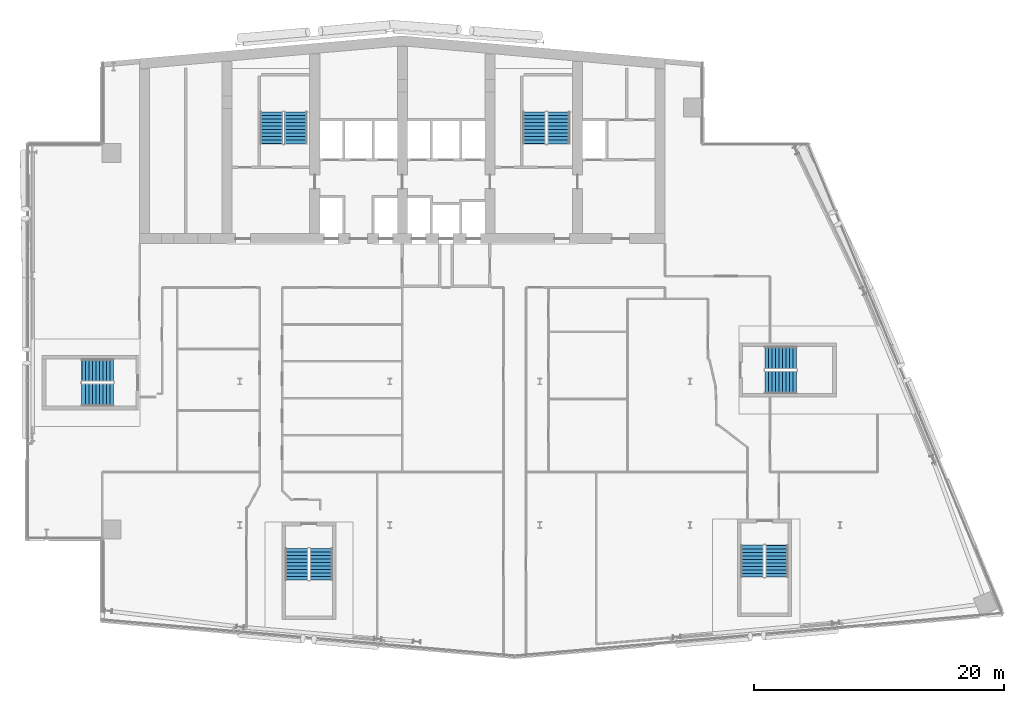
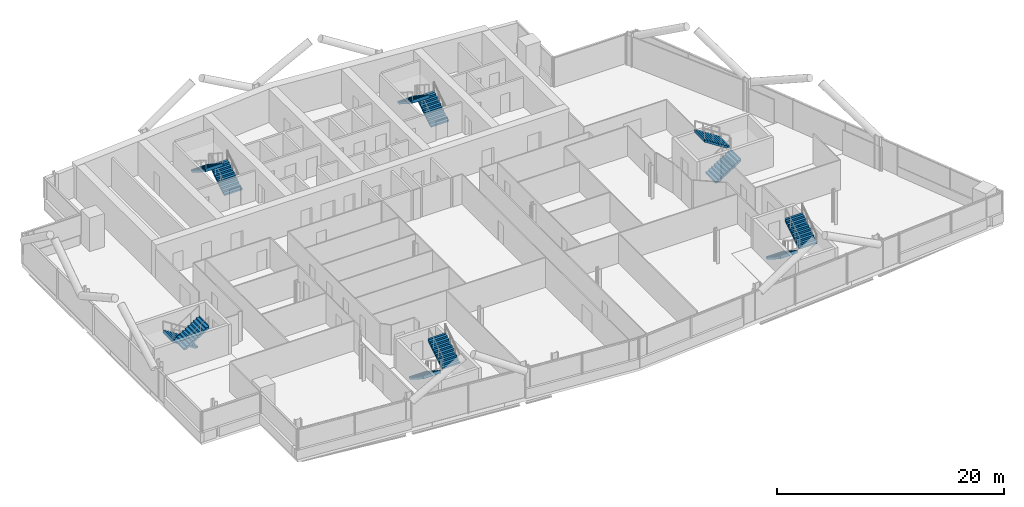
# One storey, part 20 of 26: 12 stair flights, 6 elements without a shape of their own.
"""IFC4 building model written with IfcOpenShell, lengths in metres."""

from ifc_helpers import new_model, si_unit, direction, frame, origin, place, context, subcontext, project, spatial, polyline, outline, extrude, material, type_object, element, aggregate, save


model = new_model("IFC4")

# Units and contexts
model_context = context("Model", 3, precision=1e-05, world=origin(), true_north=direction((0.0, 1.0)))
body_context = subcontext(model_context, "Body", "Model", "MODEL_VIEW")
ifc_project = project(units=[si_unit("LENGTHUNIT", "METRE"), si_unit("AREAUNIT", "SQUARE_METRE"), si_unit("VOLUMEUNIT", "CUBIC_METRE"), si_unit("PLANEANGLEUNIT", "RADIAN"), si_unit("MASSUNIT", "GRAM", prefix="KILO")], contexts=[model_context])

# Site, building, storey
site_placement = place(None, origin())
site = spatial("IfcSite", under=ifc_project, at=site_placement, CompositionType="ELEMENT")
building_placement = place(site_placement, origin())
building = spatial("IfcBuilding", under=site, at=building_placement, Name="Wharfspan Tower", CompositionType="ELEMENT")
storey_placement = place(building_placement, frame((0.0, 0.0, 169.899902)))
storey = spatial("IfcBuildingStorey", under=building, at=storey_placement, Name="L41", CompositionType="ELEMENT", Elevation=169.899902)

# Stair, stair flights
ifc_material = material(Name="Concrete C40/50", Category="concrete")
stair_type = type_object("IfcStairType", Name="Half-turn stair 20 risers 180 mm", PredefinedType="HALF_TURN_STAIR", material=ifc_material)
stair_1_placement = place(storey_placement, origin())
stair_1 = element("IfcStair", 1, at=stair_1_placement, inside=storey, type_object=stair_type, Name="L41 stair ST1", PredefinedType="HALF_TURN_STAIR")
stair_flight_type = type_object("IfcStairFlightType", Name="Stair flight 20 risers 180 mm", PredefinedType="STRAIGHT", material=ifc_material)
stair_flight_1_placement = place(storey_placement, frame((28.5, 42.0, 0.0), z_axis=(0.0, 0.0, 1.0), x_axis=(0.0, 1.0, 0.0)))
stair_flight_1 = element("IfcStairFlight", 2, at=stair_flight_1_placement, type_object=stair_flight_type, Name="ST1 flight 1", NumberOfRisers=10, NumberOfTreads=9, PredefinedType="STRAIGHT", RiserHeight=0.18, TreadLength=0.28, context=body_context, shape_type="SweptSolid", body=[
    extrude(outline(polyline([(-0.011963, 0.0), (-0.011963, 0.179932), (0.0, 0.179932), (0.280029, 0.179932), (0.280029, 0.360107), (0.560059, 0.360107), (0.560059, 0.540039), (0.840088, 0.540039), (0.840088, 0.719971), (1.120117, 0.719971), (1.120117, 0.899902), (1.399902, 0.899902), (1.399902, 1.080078), (1.679932, 1.080078), (1.679932, 1.26001), (1.959961, 1.26001), (1.959961, 1.439941), (2.23999, 1.439941), (2.23999, 1.620117), (2.52002, 1.620117), (2.531982, 1.800049), (2.531982, 1.441895), (0.2771, 0.0), (-0.011963, 0.0)])), frame((0.0, 0.899902, 0.0), z_axis=(0.0, -1.0, 0.0), x_axis=(1.0, 0.0, 0.0)), (0.0, 0.0, 1.0), 0.899414),
    extrude(outline(polyline([(-0.011963, 0.0), (-0.011963, 0.179932), (0.0, 0.179932), (0.280029, 0.179932), (0.280029, 0.360107), (0.560059, 0.360107), (0.560059, 0.540039), (0.840088, 0.540039), (0.840088, 0.719971), (1.120117, 0.719971), (1.120117, 0.899902), (1.399902, 0.899902), (1.399902, 1.080078), (1.679932, 1.080078), (1.679932, 1.26001), (1.959961, 1.26001), (1.959961, 1.439941), (2.23999, 1.439941), (2.23999, 1.620117), (2.52002, 1.620117), (2.531982, 1.800049), (2.531982, 1.441895), (0.2771, 0.0), (-0.011963, 0.0)])), frame((0.0, -0.000488, 0.0), z_axis=(0.0, -1.0, 0.0), x_axis=(1.0, 0.0, 0.0)), (0.0, 0.0, 1.0), 0.899414),
])
stair_flight_2_placement = place(storey_placement, frame((26.550049, 44.52002, 1.800049), z_axis=(0.0, 0.0, 1.0), x_axis=(0.0, -1.0, 0.0)))
stair_flight_2 = element("IfcStairFlight", 3, at=stair_flight_2_placement, type_object=stair_flight_type, Name="ST1 flight 2", NumberOfRisers=10, NumberOfTreads=9, PredefinedType="STRAIGHT", RiserHeight=0.18, TreadLength=0.28, context=body_context, shape_type="SweptSolid", body=[
    extrude(outline(polyline([(-0.011963, 0.0), (-0.011963, 0.179932), (0.0, 0.179932), (0.280029, 0.179932), (0.280029, 0.360107), (0.560059, 0.360107), (0.560059, 0.540039), (0.840088, 0.540039), (0.840088, 0.719971), (1.120117, 0.719971), (1.120117, 0.899902), (1.399902, 0.899902), (1.399902, 1.080078), (1.679932, 1.080078), (1.679932, 1.26001), (1.959961, 1.26001), (1.959961, 1.439941), (2.23999, 1.439941), (2.23999, 1.620117), (2.52002, 1.620117), (2.531982, 1.800049), (2.531982, 1.441895), (0.2771, 0.0), (-0.011963, 0.0)])), frame((0.0, 0.899902, 0.0), z_axis=(0.0, -1.0, 0.0), x_axis=(1.0, 0.0, 0.0)), (0.0, 0.0, 1.0), 0.899414),
    extrude(outline(polyline([(-0.011963, 0.0), (-0.011963, 0.179932), (0.0, 0.179932), (0.280029, 0.179932), (0.280029, 0.360107), (0.560059, 0.360107), (0.560059, 0.540039), (0.840088, 0.540039), (0.840088, 0.719971), (1.120117, 0.719971), (1.120117, 0.899902), (1.399902, 0.899902), (1.399902, 1.080078), (1.679932, 1.080078), (1.679932, 1.26001), (1.959961, 1.26001), (1.959961, 1.439941), (2.23999, 1.439941), (2.23999, 1.620117), (2.52002, 1.620117), (2.531982, 1.800049), (2.531982, 1.441895), (0.2771, 0.0), (-0.011963, 0.0)])), frame((0.0, -0.000488, 0.0), z_axis=(0.0, -1.0, 0.0), x_axis=(1.0, 0.0, 0.0)), (0.0, 0.0, 1.0), 0.899414),
])
aggregate(stair_1, [stair_flight_1, stair_flight_2])

stair_2_placement = place(storey_placement, origin())
stair_2 = element("IfcStair", 4, at=stair_2_placement, inside=storey, type_object=stair_type, Name="L41 stair ST2", PredefinedType="HALF_TURN_STAIR")
stair_flight_3_placement = place(storey_placement, frame((49.5, 42.0, 0.0), z_axis=(0.0, 0.0, 1.0), x_axis=(0.0, 1.0, 0.0)))
stair_flight_3 = element("IfcStairFlight", 5, at=stair_flight_3_placement, type_object=stair_flight_type, Name="ST2 flight 1", NumberOfRisers=10, NumberOfTreads=9, PredefinedType="STRAIGHT", RiserHeight=0.18, TreadLength=0.28, context=body_context, shape_type="SweptSolid", body=[
    extrude(outline(polyline([(-0.011963, 0.0), (-0.011963, 0.179932), (0.0, 0.179932), (0.280029, 0.179932), (0.280029, 0.360107), (0.560059, 0.360107), (0.560059, 0.540039), (0.840088, 0.540039), (0.840088, 0.719971), (1.120117, 0.719971), (1.120117, 0.899902), (1.399902, 0.899902), (1.399902, 1.080078), (1.679932, 1.080078), (1.679932, 1.26001), (1.959961, 1.26001), (1.959961, 1.439941), (2.23999, 1.439941), (2.23999, 1.620117), (2.52002, 1.620117), (2.531982, 1.800049), (2.531982, 1.441895), (0.2771, 0.0), (-0.011963, 0.0)])), frame((0.0, 0.899902, 0.0), z_axis=(0.0, -1.0, 0.0), x_axis=(1.0, 0.0, 0.0)), (0.0, 0.0, 1.0), 0.899414),
    extrude(outline(polyline([(-0.011963, 0.0), (-0.011963, 0.179932), (0.0, 0.179932), (0.280029, 0.179932), (0.280029, 0.360107), (0.560059, 0.360107), (0.560059, 0.540039), (0.840088, 0.540039), (0.840088, 0.719971), (1.120117, 0.719971), (1.120117, 0.899902), (1.399902, 0.899902), (1.399902, 1.080078), (1.679932, 1.080078), (1.679932, 1.26001), (1.959961, 1.26001), (1.959961, 1.439941), (2.23999, 1.439941), (2.23999, 1.620117), (2.52002, 1.620117), (2.531982, 1.800049), (2.531982, 1.441895), (0.2771, 0.0), (-0.011963, 0.0)])), frame((0.0, -0.000488, 0.0), z_axis=(0.0, -1.0, 0.0), x_axis=(1.0, 0.0, 0.0)), (0.0, 0.0, 1.0), 0.899414),
])
stair_flight_4_placement = place(storey_placement, frame((47.550049, 44.52002, 1.800049), z_axis=(0.0, 0.0, 1.0), x_axis=(0.0, -1.0, 0.0)))
stair_flight_4 = element("IfcStairFlight", 6, at=stair_flight_4_placement, type_object=stair_flight_type, Name="ST2 flight 2", NumberOfRisers=10, NumberOfTreads=9, PredefinedType="STRAIGHT", RiserHeight=0.18, TreadLength=0.28, context=body_context, shape_type="SweptSolid", body=[
    extrude(outline(polyline([(-0.011963, 0.0), (-0.011963, 0.179932), (0.0, 0.179932), (0.280029, 0.179932), (0.280029, 0.360107), (0.560059, 0.360107), (0.560059, 0.540039), (0.840088, 0.540039), (0.840088, 0.719971), (1.120117, 0.719971), (1.120117, 0.899902), (1.399902, 0.899902), (1.399902, 1.080078), (1.679932, 1.080078), (1.679932, 1.26001), (1.959961, 1.26001), (1.959961, 1.439941), (2.23999, 1.439941), (2.23999, 1.620117), (2.52002, 1.620117), (2.531982, 1.800049), (2.531982, 1.441895), (0.2771, 0.0), (-0.011963, 0.0)])), frame((0.0, 0.899902, 0.0), z_axis=(0.0, -1.0, 0.0), x_axis=(1.0, 0.0, 0.0)), (0.0, 0.0, 1.0), 0.899414),
    extrude(outline(polyline([(-0.011963, 0.0), (-0.011963, 0.179932), (0.0, 0.179932), (0.280029, 0.179932), (0.280029, 0.360107), (0.560059, 0.360107), (0.560059, 0.540039), (0.840088, 0.540039), (0.840088, 0.719971), (1.120117, 0.719971), (1.120117, 0.899902), (1.399902, 0.899902), (1.399902, 1.080078), (1.679932, 1.080078), (1.679932, 1.26001), (1.959961, 1.26001), (1.959961, 1.439941), (2.23999, 1.439941), (2.23999, 1.620117), (2.52002, 1.620117), (2.531982, 1.800049), (2.531982, 1.441895), (0.2771, 0.0), (-0.011963, 0.0)])), frame((0.0, -0.000488, 0.0), z_axis=(0.0, -1.0, 0.0), x_axis=(1.0, 0.0, 0.0)), (0.0, 0.0, 1.0), 0.899414),
])
aggregate(stair_2, [stair_flight_3, stair_flight_4])

stair_3_placement = place(storey_placement, origin())
stair_3 = element("IfcStair", 7, at=stair_3_placement, inside=storey, type_object=stair_type, Name="L41 stair ST3", PredefinedType="HALF_TURN_STAIR")
stair_flight_5_placement = place(storey_placement, frame((13.899902, 23.875, 0.0), z_axis=(0.0, 0.0, 1.0), x_axis=(-1.0, 0.0, 0.0)))
stair_flight_5 = element("IfcStairFlight", 8, at=stair_flight_5_placement, type_object=stair_flight_type, Name="ST3 flight 1", NumberOfRisers=10, NumberOfTreads=9, PredefinedType="STRAIGHT", RiserHeight=0.18, TreadLength=0.28, context=body_context, shape_type="SweptSolid", body=[
    extrude(outline(polyline([(-0.011963, 0.0), (-0.011963, 0.179932), (0.0, 0.179932), (0.280029, 0.179932), (0.280029, 0.360107), (0.560059, 0.360107), (0.560059, 0.540039), (0.840088, 0.540039), (0.840088, 0.719971), (1.120117, 0.719971), (1.120117, 0.899902), (1.399902, 0.899902), (1.399902, 1.080078), (1.679932, 1.080078), (1.679932, 1.26001), (1.959961, 1.26001), (1.959961, 1.439941), (2.23999, 1.439941), (2.23999, 1.620117), (2.52002, 1.620117), (2.531982, 1.800049), (2.531982, 1.441895), (0.2771, 0.0), (-0.011963, 0.0)])), frame((0.0, 0.899902, 0.0), z_axis=(0.0, -1.0, 0.0), x_axis=(1.0, 0.0, 0.0)), (0.0, 0.0, 1.0), 0.899414),
    extrude(outline(polyline([(-0.011963, 0.0), (-0.011963, 0.179932), (0.0, 0.179932), (0.280029, 0.179932), (0.280029, 0.360107), (0.560059, 0.360107), (0.560059, 0.540039), (0.840088, 0.540039), (0.840088, 0.719971), (1.120117, 0.719971), (1.120117, 0.899902), (1.399902, 0.899902), (1.399902, 1.080078), (1.679932, 1.080078), (1.679932, 1.26001), (1.959961, 1.26001), (1.959961, 1.439941), (2.23999, 1.439941), (2.23999, 1.620117), (2.52002, 1.620117), (2.531982, 1.800049), (2.531982, 1.441895), (0.2771, 0.0), (-0.011963, 0.0)])), frame((0.0, -0.000488, 0.0), z_axis=(0.0, -1.0, 0.0), x_axis=(1.0, 0.0, 0.0)), (0.0, 0.0, 1.0), 0.899414),
])
stair_flight_6_placement = place(storey_placement, frame((11.379883, 21.925049, 1.800049), z_axis=(0.0, 0.0, 1.0), x_axis=(1.0, 0.0, 0.0)))
stair_flight_6 = element("IfcStairFlight", 9, at=stair_flight_6_placement, type_object=stair_flight_type, Name="ST3 flight 2", NumberOfRisers=10, NumberOfTreads=9, PredefinedType="STRAIGHT", RiserHeight=0.18, TreadLength=0.28, context=body_context, shape_type="SweptSolid", body=[
    extrude(outline(polyline([(-0.011963, 0.0), (-0.011963, 0.179932), (0.0, 0.179932), (0.280029, 0.179932), (0.280029, 0.360107), (0.560059, 0.360107), (0.560059, 0.540039), (0.840088, 0.540039), (0.840088, 0.719971), (1.120117, 0.719971), (1.120117, 0.899902), (1.399902, 0.899902), (1.399902, 1.080078), (1.679932, 1.080078), (1.679932, 1.26001), (1.959961, 1.26001), (1.959961, 1.439941), (2.23999, 1.439941), (2.23999, 1.620117), (2.52002, 1.620117), (2.531982, 1.800049), (2.531982, 1.441895), (0.2771, 0.0), (-0.011963, 0.0)])), frame((0.0, 0.899902, 0.0), z_axis=(0.0, -1.0, 0.0), x_axis=(1.0, 0.0, 0.0)), (0.0, 0.0, 1.0), 0.899414),
    extrude(outline(polyline([(-0.011963, 0.0), (-0.011963, 0.179932), (0.0, 0.179932), (0.280029, 0.179932), (0.280029, 0.360107), (0.560059, 0.360107), (0.560059, 0.540039), (0.840088, 0.540039), (0.840088, 0.719971), (1.120117, 0.719971), (1.120117, 0.899902), (1.399902, 0.899902), (1.399902, 1.080078), (1.679932, 1.080078), (1.679932, 1.26001), (1.959961, 1.26001), (1.959961, 1.439941), (2.23999, 1.439941), (2.23999, 1.620117), (2.52002, 1.620117), (2.531982, 1.800049), (2.531982, 1.441895), (0.2771, 0.0), (-0.011963, 0.0)])), frame((0.0, -0.000488, 0.0), z_axis=(0.0, -1.0, 0.0), x_axis=(1.0, 0.0, 0.0)), (0.0, 0.0, 1.0), 0.899414),
])
aggregate(stair_3, [stair_flight_5, stair_flight_6])

stair_4_placement = place(storey_placement, origin())
stair_4 = element("IfcStair", 10, at=stair_4_placement, inside=storey, type_object=stair_type, Name="L41 stair ST4", PredefinedType="HALF_TURN_STAIR")
stair_flight_7_placement = place(storey_placement, frame((28.564209, 9.634277, 0.0), z_axis=(0.0, 0.0, 1.0), x_axis=(0.0, -1.0, 0.0)))
stair_flight_7 = element("IfcStairFlight", 11, at=stair_flight_7_placement, type_object=stair_flight_type, Name="ST4 flight 1", NumberOfRisers=10, NumberOfTreads=9, PredefinedType="STRAIGHT", RiserHeight=0.18, TreadLength=0.28, context=body_context, shape_type="SweptSolid", body=[
    extrude(outline(polyline([(-0.011963, 0.0), (-0.011963, 0.179932), (0.0, 0.179932), (0.280029, 0.179932), (0.280029, 0.360107), (0.560059, 0.360107), (0.560059, 0.540039), (0.840088, 0.540039), (0.840088, 0.719971), (1.120117, 0.719971), (1.120117, 0.899902), (1.399902, 0.899902), (1.399902, 1.080078), (1.679932, 1.080078), (1.679932, 1.26001), (1.959961, 1.26001), (1.959961, 1.439941), (2.23999, 1.439941), (2.23999, 1.620117), (2.52002, 1.620117), (2.531982, 1.800049), (2.531982, 1.441895), (0.2771, 0.0), (-0.011963, 0.0)])), frame((0.0, 0.899902, 0.0), z_axis=(0.0, -1.0, 0.0), x_axis=(1.0, 0.0, 0.0)), (0.0, 0.0, 1.0), 0.899414),
    extrude(outline(polyline([(-0.011963, 0.0), (-0.011963, 0.179932), (0.0, 0.179932), (0.280029, 0.179932), (0.280029, 0.360107), (0.560059, 0.360107), (0.560059, 0.540039), (0.840088, 0.540039), (0.840088, 0.719971), (1.120117, 0.719971), (1.120117, 0.899902), (1.399902, 0.899902), (1.399902, 1.080078), (1.679932, 1.080078), (1.679932, 1.26001), (1.959961, 1.26001), (1.959961, 1.439941), (2.23999, 1.439941), (2.23999, 1.620117), (2.52002, 1.620117), (2.531982, 1.800049), (2.531982, 1.441895), (0.2771, 0.0), (-0.011963, 0.0)])), frame((0.0, -0.000488, 0.0), z_axis=(0.0, -1.0, 0.0), x_axis=(1.0, 0.0, 0.0)), (0.0, 0.0, 1.0), 0.899414),
])
stair_flight_8_placement = place(storey_placement, frame((30.51416, 7.114258, 1.800049), z_axis=(0.0, 0.0, 1.0), x_axis=(0.0, 1.0, 0.0)))
stair_flight_8 = element("IfcStairFlight", 12, at=stair_flight_8_placement, type_object=stair_flight_type, Name="ST4 flight 2", NumberOfRisers=10, NumberOfTreads=9, PredefinedType="STRAIGHT", RiserHeight=0.18, TreadLength=0.28, context=body_context, shape_type="SweptSolid", body=[
    extrude(outline(polyline([(-0.011963, 0.0), (-0.011963, 0.179932), (0.0, 0.179932), (0.280029, 0.179932), (0.280029, 0.360107), (0.560059, 0.360107), (0.560059, 0.540039), (0.840088, 0.540039), (0.840088, 0.719971), (1.120117, 0.719971), (1.120117, 0.899902), (1.399902, 0.899902), (1.399902, 1.080078), (1.679932, 1.080078), (1.679932, 1.26001), (1.959961, 1.26001), (1.959961, 1.439941), (2.23999, 1.439941), (2.23999, 1.620117), (2.52002, 1.620117), (2.531982, 1.800049), (2.531982, 1.441895), (0.2771, 0.0), (-0.011963, 0.0)])), frame((0.0, 0.899902, 0.0), z_axis=(0.0, -1.0, 0.0), x_axis=(1.0, 0.0, 0.0)), (0.0, 0.0, 1.0), 0.899414),
    extrude(outline(polyline([(-0.011963, 0.0), (-0.011963, 0.179932), (0.0, 0.179932), (0.280029, 0.179932), (0.280029, 0.360107), (0.560059, 0.360107), (0.560059, 0.540039), (0.840088, 0.540039), (0.840088, 0.719971), (1.120117, 0.719971), (1.120117, 0.899902), (1.399902, 0.899902), (1.399902, 1.080078), (1.679932, 1.080078), (1.679932, 1.26001), (1.959961, 1.26001), (1.959961, 1.439941), (2.23999, 1.439941), (2.23999, 1.620117), (2.52002, 1.620117), (2.531982, 1.800049), (2.531982, 1.441895), (0.2771, 0.0), (-0.011963, 0.0)])), frame((0.0, -0.000488, 0.0), z_axis=(0.0, -1.0, 0.0), x_axis=(1.0, 0.0, 0.0)), (0.0, 0.0, 1.0), 0.899414),
])
aggregate(stair_4, [stair_flight_7, stair_flight_8])

stair_5_placement = place(storey_placement, origin())
stair_5 = element("IfcStair", 13, at=stair_5_placement, inside=storey, type_object=stair_type, Name="L41 stair ST5", PredefinedType="HALF_TURN_STAIR")
stair_flight_9_placement = place(storey_placement, frame((64.986328, 9.883789, 0.0), z_axis=(0.0, 0.0, 1.0), x_axis=(0.0, -1.0, 0.0)))
stair_flight_9 = element("IfcStairFlight", 14, at=stair_flight_9_placement, type_object=stair_flight_type, Name="ST5 flight 1", NumberOfRisers=10, NumberOfTreads=9, PredefinedType="STRAIGHT", RiserHeight=0.18, TreadLength=0.28, context=body_context, shape_type="SweptSolid", body=[
    extrude(outline(polyline([(-0.011963, 0.0), (-0.011963, 0.179932), (0.0, 0.179932), (0.280029, 0.179932), (0.280029, 0.360107), (0.560059, 0.360107), (0.560059, 0.540039), (0.840088, 0.540039), (0.840088, 0.719971), (1.120117, 0.719971), (1.120117, 0.899902), (1.399902, 0.899902), (1.399902, 1.080078), (1.679932, 1.080078), (1.679932, 1.26001), (1.959961, 1.26001), (1.959961, 1.439941), (2.23999, 1.439941), (2.23999, 1.620117), (2.52002, 1.620117), (2.531982, 1.800049), (2.531982, 1.441895), (0.2771, 0.0), (-0.011963, 0.0)])), frame((0.0, 0.899902, 0.0), z_axis=(0.0, -1.0, 0.0), x_axis=(1.0, 0.0, 0.0)), (0.0, 0.0, 1.0), 0.899414),
    extrude(outline(polyline([(-0.011963, 0.0), (-0.011963, 0.179932), (0.0, 0.179932), (0.280029, 0.179932), (0.280029, 0.360107), (0.560059, 0.360107), (0.560059, 0.540039), (0.840088, 0.540039), (0.840088, 0.719971), (1.120117, 0.719971), (1.120117, 0.899902), (1.399902, 0.899902), (1.399902, 1.080078), (1.679932, 1.080078), (1.679932, 1.26001), (1.959961, 1.26001), (1.959961, 1.439941), (2.23999, 1.439941), (2.23999, 1.620117), (2.52002, 1.620117), (2.531982, 1.800049), (2.531982, 1.441895), (0.2771, 0.0), (-0.011963, 0.0)])), frame((0.0, -0.000488, 0.0), z_axis=(0.0, -1.0, 0.0), x_axis=(1.0, 0.0, 0.0)), (0.0, 0.0, 1.0), 0.899414),
])
stair_flight_10_placement = place(storey_placement, frame((66.936279, 7.36377, 1.800049), z_axis=(0.0, 0.0, 1.0), x_axis=(0.0, 1.0, 0.0)))
stair_flight_10 = element("IfcStairFlight", 15, at=stair_flight_10_placement, type_object=stair_flight_type, Name="ST5 flight 2", NumberOfRisers=10, NumberOfTreads=9, PredefinedType="STRAIGHT", RiserHeight=0.18, TreadLength=0.28, context=body_context, shape_type="SweptSolid", body=[
    extrude(outline(polyline([(-0.011963, 0.0), (-0.011963, 0.179932), (0.0, 0.179932), (0.280029, 0.179932), (0.280029, 0.360107), (0.560059, 0.360107), (0.560059, 0.540039), (0.840088, 0.540039), (0.840088, 0.719971), (1.120117, 0.719971), (1.120117, 0.899902), (1.399902, 0.899902), (1.399902, 1.080078), (1.679932, 1.080078), (1.679932, 1.26001), (1.959961, 1.26001), (1.959961, 1.439941), (2.23999, 1.439941), (2.23999, 1.620117), (2.52002, 1.620117), (2.531982, 1.800049), (2.531982, 1.441895), (0.2771, 0.0), (-0.011963, 0.0)])), frame((0.0, 0.899902, 0.0), z_axis=(0.0, -1.0, 0.0), x_axis=(1.0, 0.0, 0.0)), (0.0, 0.0, 1.0), 0.899414),
    extrude(outline(polyline([(-0.011963, 0.0), (-0.011963, 0.179932), (0.0, 0.179932), (0.280029, 0.179932), (0.280029, 0.360107), (0.560059, 0.360107), (0.560059, 0.540039), (0.840088, 0.540039), (0.840088, 0.719971), (1.120117, 0.719971), (1.120117, 0.899902), (1.399902, 0.899902), (1.399902, 1.080078), (1.679932, 1.080078), (1.679932, 1.26001), (1.959961, 1.26001), (1.959961, 1.439941), (2.23999, 1.439941), (2.23999, 1.620117), (2.52002, 1.620117), (2.531982, 1.800049), (2.531982, 1.441895), (0.2771, 0.0), (-0.011963, 0.0)])), frame((0.0, -0.000488, 0.0), z_axis=(0.0, -1.0, 0.0), x_axis=(1.0, 0.0, 0.0)), (0.0, 0.0, 1.0), 0.899414),
])
aggregate(stair_5, [stair_flight_9, stair_flight_10])

stair_6_placement = place(storey_placement, origin())
stair_6 = element("IfcStair", 16, at=stair_6_placement, inside=storey, type_object=stair_type, Name="L41 stair ST6", PredefinedType="HALF_TURN_STAIR")
stair_flight_11_placement = place(storey_placement, frame((66.004639, 22.925049, 0.0), z_axis=(0.0, 0.0, 1.0), x_axis=(1.0, 0.0, 0.0)))
stair_flight_11 = element("IfcStairFlight", 17, at=stair_flight_11_placement, type_object=stair_flight_type, Name="ST6 flight 1", NumberOfRisers=10, NumberOfTreads=9, PredefinedType="STRAIGHT", RiserHeight=0.18, TreadLength=0.28, context=body_context, shape_type="SweptSolid", body=[
    extrude(outline(polyline([(-0.011963, 0.0), (-0.011963, 0.179932), (0.0, 0.179932), (0.280029, 0.179932), (0.280029, 0.360107), (0.560059, 0.360107), (0.560059, 0.540039), (0.840088, 0.540039), (0.840088, 0.719971), (1.120117, 0.719971), (1.120117, 0.899902), (1.399902, 0.899902), (1.399902, 1.080078), (1.679932, 1.080078), (1.679932, 1.26001), (1.959961, 1.26001), (1.959961, 1.439941), (2.23999, 1.439941), (2.23999, 1.620117), (2.52002, 1.620117), (2.531982, 1.800049), (2.531982, 1.441895), (0.2771, 0.0), (-0.011963, 0.0)])), frame((0.0, 0.899902, 0.0), z_axis=(0.0, -1.0, 0.0), x_axis=(1.0, 0.0, 0.0)), (0.0, 0.0, 1.0), 0.899414),
    extrude(outline(polyline([(-0.011963, 0.0), (-0.011963, 0.179932), (0.0, 0.179932), (0.280029, 0.179932), (0.280029, 0.360107), (0.560059, 0.360107), (0.560059, 0.540039), (0.840088, 0.540039), (0.840088, 0.719971), (1.120117, 0.719971), (1.120117, 0.899902), (1.399902, 0.899902), (1.399902, 1.080078), (1.679932, 1.080078), (1.679932, 1.26001), (1.959961, 1.26001), (1.959961, 1.439941), (2.23999, 1.439941), (2.23999, 1.620117), (2.52002, 1.620117), (2.531982, 1.800049), (2.531982, 1.441895), (0.2771, 0.0), (-0.011963, 0.0)])), frame((0.0, -0.000488, 0.0), z_axis=(0.0, -1.0, 0.0), x_axis=(1.0, 0.0, 0.0)), (0.0, 0.0, 1.0), 0.899414),
])
stair_flight_12_placement = place(storey_placement, frame((68.524658, 24.875, 1.800049), z_axis=(0.0, 0.0, 1.0), x_axis=(-1.0, 0.0, 0.0)))
stair_flight_12 = element("IfcStairFlight", 18, at=stair_flight_12_placement, type_object=stair_flight_type, Name="ST6 flight 2", NumberOfRisers=10, NumberOfTreads=9, PredefinedType="STRAIGHT", RiserHeight=0.18, TreadLength=0.28, context=body_context, shape_type="SweptSolid", body=[
    extrude(outline(polyline([(-0.011963, 0.0), (-0.011963, 0.179932), (0.0, 0.179932), (0.280029, 0.179932), (0.280029, 0.360107), (0.560059, 0.360107), (0.560059, 0.540039), (0.840088, 0.540039), (0.840088, 0.719971), (1.120117, 0.719971), (1.120117, 0.899902), (1.399902, 0.899902), (1.399902, 1.080078), (1.679932, 1.080078), (1.679932, 1.26001), (1.959961, 1.26001), (1.959961, 1.439941), (2.23999, 1.439941), (2.23999, 1.620117), (2.52002, 1.620117), (2.531982, 1.800049), (2.531982, 1.441895), (0.2771, 0.0), (-0.011963, 0.0)])), frame((0.0, 0.899902, 0.0), z_axis=(0.0, -1.0, 0.0), x_axis=(1.0, 0.0, 0.0)), (0.0, 0.0, 1.0), 0.899414),
    extrude(outline(polyline([(-0.011963, 0.0), (-0.011963, 0.179932), (0.0, 0.179932), (0.280029, 0.179932), (0.280029, 0.360107), (0.560059, 0.360107), (0.560059, 0.540039), (0.840088, 0.540039), (0.840088, 0.719971), (1.120117, 0.719971), (1.120117, 0.899902), (1.399902, 0.899902), (1.399902, 1.080078), (1.679932, 1.080078), (1.679932, 1.26001), (1.959961, 1.26001), (1.959961, 1.439941), (2.23999, 1.439941), (2.23999, 1.620117), (2.52002, 1.620117), (2.531982, 1.800049), (2.531982, 1.441895), (0.2771, 0.0), (-0.011963, 0.0)])), frame((0.0, -0.000488, 0.0), z_axis=(0.0, -1.0, 0.0), x_axis=(1.0, 0.0, 0.0)), (0.0, 0.0, 1.0), 0.899414),
])
aggregate(stair_6, [stair_flight_11, stair_flight_12])

save(model, "model.ifc")
